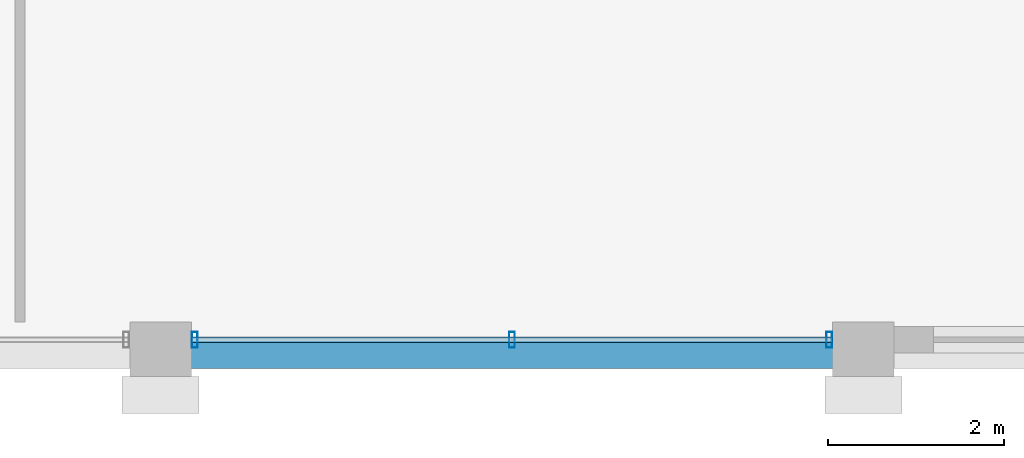
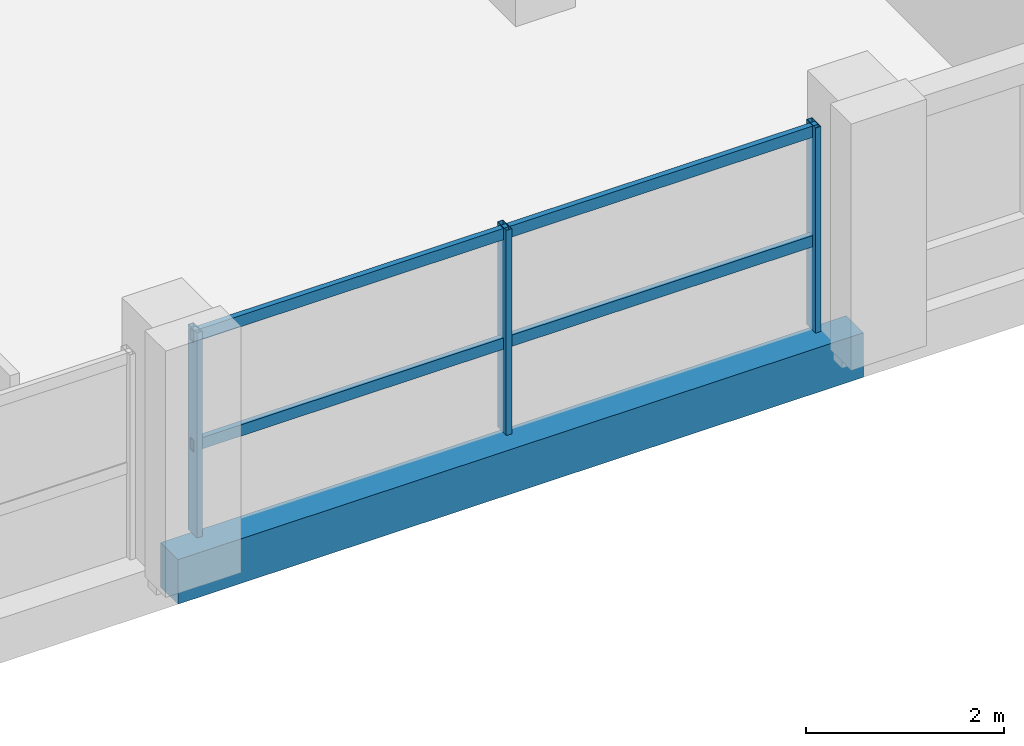
# One storey, part 9 of 24: 5 members, 1 beam, 1 element without a shape of its own.
"""IFC4 building model written with IfcOpenShell, lengths in metres."""

from ifc_helpers import new_model, si_unit, direction, frame, origin, origin_2d, place, context, subcontext, project, spatial, rectangle, hollow_rectangle, extrude, material, material_profile, profile_set, type_object, element, aggregate, save


model = new_model("IFC4")

# Units and contexts
model_context = context("Model", 3, precision=1e-05, world=origin(), true_north=direction((0.0, 1.0)))
body_context = subcontext(model_context, "Body", "Model", "MODEL_VIEW")
ifc_project = project(units=[si_unit("LENGTHUNIT", "METRE"), si_unit("AREAUNIT", "SQUARE_METRE"), si_unit("VOLUMEUNIT", "CUBIC_METRE"), si_unit("PLANEANGLEUNIT", "RADIAN"), si_unit("MASSUNIT", "GRAM", prefix="KILO")], contexts=[model_context])

# Site, building, storey
site_placement = place(None, origin())
site = spatial("IfcSite", under=ifc_project, at=site_placement, CompositionType="ELEMENT")
building_placement = place(site_placement, origin())
building = spatial("IfcBuilding", under=site, at=building_placement, Name="Akrevak Sports Hall", CompositionType="ELEMENT")
storey_placement = place(building_placement, frame((0.0, 0.0, 60.050048828125)))
storey = spatial("IfcBuildingStorey", under=building, at=storey_placement, Name="L15", CompositionType="ELEMENT", Elevation=60.050048828125)

# Curtain wall, members
ifc_material_1 = material(Name="Anodized Bronze Aluminium & Low-E Glass", Category="aluminium")
curtain_wall_type = type_object("IfcCurtainWallType", Name="ARC-CW-TWR-56x30", PredefinedType="NOTDEFINED", material=ifc_material_1)
curtain_wall_placement = place(storey_placement, origin())
curtain_wall = element("IfcCurtainWall", 1, at=curtain_wall_placement, inside=storey, type_object=curtain_wall_type, Name="Curtain Wall CW-L15-S05", PredefinedType="NOTDEFINED")
ifc_material_2 = material(Name="Anodized Bronze Aluminium", Category="aluminium")
ifc_material_profile_1 = material_profile(ifc_material_2, hollow_rectangle(XDim=0.06494140625, YDim=0.179931640625, WallThickness=0.00390625, at=origin_2d()), Name="CWM 65x180", Category="aluminium")
ifc_profile_set_1 = profile_set([ifc_material_profile_1], Name="Anodized Bronze Aluminium")
member_type_1 = type_object("IfcMemberType", Name="ARC-CWM-65x140", PredefinedType="MULLION", material=ifc_profile_set_1)
member_1_placement = place(storey_placement, frame((84.389892578125, 35.550048828125, 0.0), z_axis=(0.0, 0.0, 1.0), x_axis=(1.0, 0.0, 0.0)))
member_1 = element("IfcMember", 2, at=member_1_placement, type_object=member_type_1, Name="Curtain Wall Mullion CW-L15-S05-M1", PredefinedType="MULLION", context=body_context, shape_type="SweptSolid", body=[
    extrude(hollow_rectangle(XDim=0.06494140625, YDim=0.179931640625, WallThickness=0.00390625, at=origin_2d()), origin(), (0.0, 0.0, 1.0), 2.530029296875),
])
member_2_placement = place(storey_placement, frame((88.0, 35.550048828125, 0.0), z_axis=(0.0, 0.0, 1.0), x_axis=(1.0, 0.0, 0.0)))
member_2 = element("IfcMember", 3, at=member_2_placement, type_object=member_type_1, Name="Curtain Wall Mullion CW-L15-S05-M2", PredefinedType="MULLION", context=body_context, shape_type="SweptSolid", body=[
    extrude(hollow_rectangle(XDim=0.06494140625, YDim=0.179931640625, WallThickness=0.00390625, at=origin_2d()), origin(), (0.0, 0.0, 1.0), 2.530029296875),
])
member_3_placement = place(storey_placement, frame((91.610107421875, 35.550048828125, 0.0), z_axis=(0.0, 0.0, 1.0), x_axis=(1.0, 0.0, 0.0)))
member_3 = element("IfcMember", 4, at=member_3_placement, type_object=member_type_1, Name="Curtain Wall Mullion CW-L15-S05-M3", PredefinedType="MULLION", context=body_context, shape_type="SweptSolid", body=[
    extrude(hollow_rectangle(XDim=0.06494140625, YDim=0.179931640625, WallThickness=0.00390625, at=origin_2d()), origin(), (0.0, 0.0, 1.0), 2.530029296875),
])
ifc_material_profile_2 = material_profile(ifc_material_2, hollow_rectangle(XDim=0.06494140625, YDim=0.139892578125, WallThickness=0.00390625, at=origin_2d()), Name="CWT 65x140", Category="aluminium")
ifc_profile_set_2 = profile_set([ifc_material_profile_2], Name="Anodized Bronze Aluminium")
member_type_2 = type_object("IfcMemberType", Name="ARC-CWT-65x110", PredefinedType="USERDEFINED", material=ifc_profile_set_2)
member_4_placement = place(storey_placement, frame((84.35009765625, 35.550048828125, 1.099853515625), z_axis=(1.0, 0.0, 0.0), x_axis=(0.0, 1.0, 0.0)))
member_4 = element("IfcMember", 5, at=member_4_placement, type_object=member_type_2, Name="Curtain Wall Transom CW-L15-S05-T1", ObjectType="TRANSOM", PredefinedType="USERDEFINED", context=body_context, shape_type="SweptSolid", body=[
    extrude(hollow_rectangle(XDim=0.06494140625, YDim=0.139892578125, WallThickness=0.00390625, at=origin_2d()), origin(), (0.0, 0.0, 1.0), 7.2998046875),
])
member_5_placement = place(storey_placement, frame((84.35009765625, 35.550048828125, 2.449951171875), z_axis=(1.0, 0.0, 0.0), x_axis=(0.0, 1.0, 0.0)))
member_5 = element("IfcMember", 6, at=member_5_placement, type_object=member_type_2, Name="Curtain Wall Transom CW-L15-S05-T2", ObjectType="TRANSOM", PredefinedType="USERDEFINED", context=body_context, shape_type="SweptSolid", body=[
    extrude(hollow_rectangle(XDim=0.06494140625, YDim=0.139892578125, WallThickness=0.00390625, at=origin_2d()), origin(), (0.0, 0.0, 1.0), 7.2998046875),
])
aggregate(curtain_wall, [member_1, member_2, member_3, member_4, member_5])

# Beam
ifc_material_3 = material(Name="Concrete C40/50", Category="concrete")
ifc_material_profile_3 = material_profile(ifc_material_3, rectangle(XDim=0.35009765625, YDim=0.550048828125, at=origin_2d()), Name="BM 350x550", Category="concrete")
ifc_profile_set_3 = profile_set([ifc_material_profile_3], Name="Concrete C40/50")
beam_type = type_object("IfcBeamType", Name="STR-BM-RC350x550", PredefinedType="BEAM", material=ifc_profile_set_3)
beam_placement = place(storey_placement, frame((84.0, 35.39990234375, -0.275146484375), z_axis=(1.0, 0.0, 0.0), x_axis=(0.0, 1.0, 0.0)))
element("IfcBeam", 7, at=beam_placement, inside=storey, type_object=beam_type, Name="Girder F/12-13 (L15)", PredefinedType="BEAM", context=body_context, shape_type="SweptSolid", body=[
    extrude(rectangle(XDim=0.35009765625, YDim=0.550048828125, at=origin_2d()), origin(), (0.0, 0.0, 1.0), 8.0),
])

save(model, "model.ifc")
